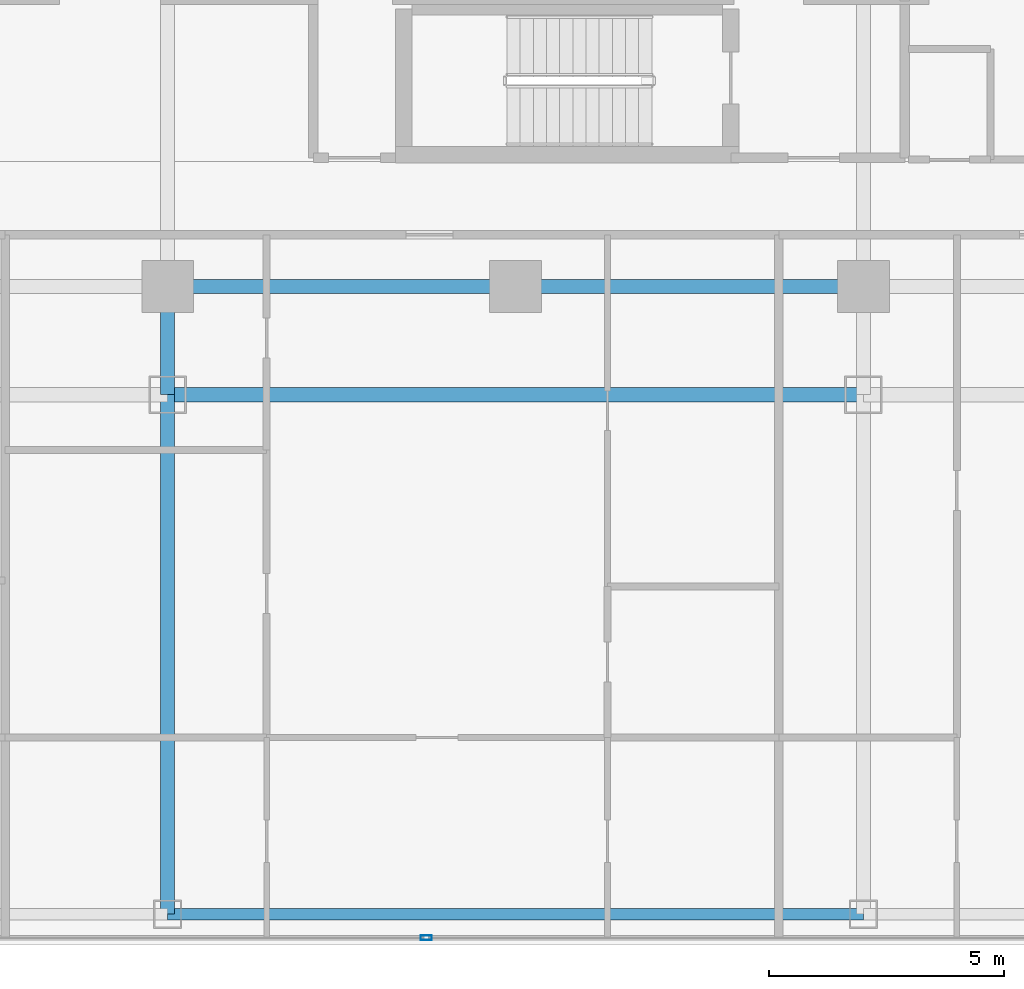
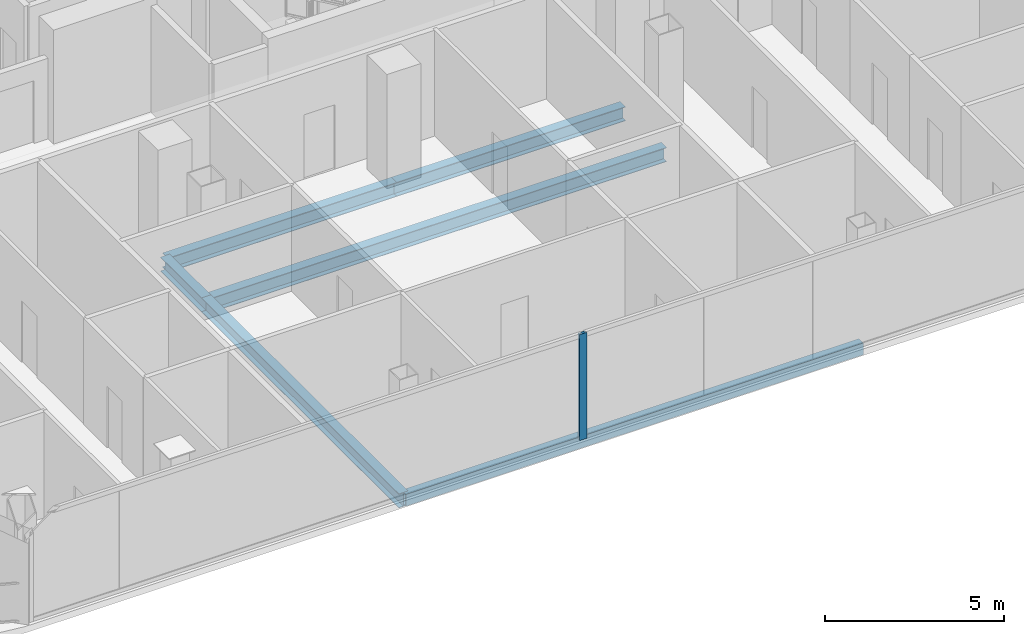
# One storey, part 4 of 24: 6 beams, 1 member, 1 element without a shape of its own.
"""IFC4 building model written with IfcOpenShell, lengths in metres."""

from ifc_helpers import new_model, si_unit, direction, frame, origin, origin_2d, place, context, subcontext, project, spatial, hollow_rectangle, i_section, extrude, material, layer, layer_set, material_profile, profile_set, type_object, element, aggregate, save


model = new_model("IFC4")

# Units and contexts
model_context = context("Model", 3, precision=1e-05, world=origin(), true_north=direction((0.0, 1.0)))
body_context = subcontext(model_context, "Body", "Model", "MODEL_VIEW")
ifc_project = project(units=[si_unit("LENGTHUNIT", "METRE"), si_unit("AREAUNIT", "SQUARE_METRE"), si_unit("VOLUMEUNIT", "CUBIC_METRE"), si_unit("PLANEANGLEUNIT", "RADIAN"), si_unit("MASSUNIT", "GRAM", prefix="KILO")], contexts=[model_context])

# Site, building, storey
site_placement = place(None, origin())
site = spatial("IfcSite", under=ifc_project, at=site_placement, CompositionType="ELEMENT")
building_placement = place(site_placement, origin())
building = spatial("IfcBuilding", under=site, at=building_placement, Name="Khorvyn Point Tower", CompositionType="ELEMENT")
storey_placement = place(building_placement, frame((0.0, 0.0, 215.699951171875)))
storey = spatial("IfcBuildingStorey", under=building, at=storey_placement, Name="L53", CompositionType="ELEMENT", Elevation=215.699951171875)

# Curtain wall, member
ifc_material_1 = material(Name="Anodised aluminium 6063-T6 and laminated Low-E glass", Category="aluminium")
ifc_layer = layer(ifc_material_1, 0.18994140625)
ifc_layer_set = layer_set([ifc_layer], Name="Stick-Built Acoustic Curtain Wall CW-SYS-03")
curtain_wall_type = type_object("IfcCurtainWallType", Name="Stick-Built Acoustic Curtain Wall CW-SYS-03", PredefinedType="NOTDEFINED", material=ifc_layer_set)
curtain_wall_placement = place(storey_placement, origin())
curtain_wall = element("IfcCurtainWall", 1, at=curtain_wall_placement, inside=storey, type_object=curtain_wall_type, Name="Curtain Wall", PredefinedType="NOTDEFINED")
ifc_material_2 = material(Name="Anodised aluminium 6063-T6", Category="aluminium")
ifc_material_profile_1 = material_profile(ifc_material_2, hollow_rectangle(XDim=0.10009765625, YDim=0.239990234375, WallThickness=0.0048828125, at=origin_2d()))
ifc_profile_set_1 = profile_set([ifc_material_profile_1], Name="Anodised aluminium 6063-T6 ALU-MUL-100x240")
member_type = type_object("IfcMemberType", Name="Anodised Aluminium 6063-T6 Mullion ALU-MUL-100x240", PredefinedType="MULLION", material=ifc_profile_set_1)
member_placement = place(storey_placement, frame((-1.89990234375, -28.64990234375, 0.0), z_axis=(0.0, 0.0, 1.0), x_axis=(0.0, -1.0, 0.0)))
member = element("IfcMember", 2, at=member_placement, type_object=member_type, Name="Transom", PredefinedType="MULLION", context=body_context, shape_type="SweptSolid", body=[
    extrude(hollow_rectangle(XDim=0.10009765625, YDim=0.239990234375, WallThickness=0.0048828125, at=origin_2d()), origin(), (0.0, 0.0, 1.0), 3.6201171875),
])
aggregate(curtain_wall, [member])

# Beams
ifc_material_3 = material(Name="Steel S355", Category="steel")
ifc_material_profile_2 = material_profile(ifc_material_3, i_section(OverallWidth=0.300048828125, OverallDepth=0.488037109375, WebThickness=0.010986328125, FlangeThickness=0.01806640625, at=origin_2d()))
ifc_profile_set_2 = profile_set([ifc_material_profile_2], Name="Steel S355 H488x300x11x18")
beam_type_1 = type_object("IfcBeamType", Name="Steel S355 Spandrel H488x300x11x18", PredefinedType="SPANDREL", material=ifc_profile_set_2)
for number, where, z_axis, x_axis, name in (
    (3, (-7.39990234375, -14.800048828125, -0.4638671875), (1.0, 0.0, 0.0), (0.0, 1.0, 0.0), "Beam"),
    (4, (0.0, -14.800048828125, -0.4638671875), (1.0, 0.0, 0.0), (0.0, 1.0, 0.0), "Beam"),
):
    element("IfcBeam", number, at=place(storey_placement, frame(where, z_axis=z_axis, x_axis=x_axis)), inside=storey, type_object=beam_type_1, Name=name, PredefinedType="SPANDREL", context=body_context, shape_type="SweptSolid", body=[
        extrude(i_section(OverallWidth=0.300048828125, OverallDepth=0.488037109375, WebThickness=0.010986328125, FlangeThickness=0.01806640625, at=origin_2d()), origin(), (0.0, 0.0, 1.0), 7.39990234375),
    ])
beam_1_placement = place(storey_placement, frame((-7.39990234375, -17.10009765625, -0.4638671875), z_axis=(1.0, 0.0, 0.0), x_axis=(0.0, 1.0, 0.0)))
element("IfcBeam", 5, at=beam_1_placement, inside=storey, type_object=beam_type_1, Name="Beam", PredefinedType="SPANDREL", context=body_context, shape_type="SweptSolid", body=[
    extrude(i_section(OverallWidth=0.300048828125, OverallDepth=0.488037109375, WebThickness=0.010986328125, FlangeThickness=0.01806640625, at=origin_2d()), origin(), (0.0, 0.0, 1.0), 14.7998046875),
])
beam_2_placement = place(storey_placement, frame((-7.39990234375, -28.14990234375, -0.4638671875), z_axis=(0.0, 1.0, 0.0), x_axis=(-1.0, 0.0, 0.0)))
element("IfcBeam", 6, at=beam_2_placement, inside=storey, type_object=beam_type_1, Name="Beam", PredefinedType="SPANDREL", context=body_context, shape_type="SweptSolid", body=[
    extrude(i_section(OverallWidth=0.300048828125, OverallDepth=0.488037109375, WebThickness=0.010986328125, FlangeThickness=0.01806640625, at=origin_2d()), origin(), (0.0, 0.0, 1.0), 11.0498046875),
])
beam_3_placement = place(storey_placement, frame((-7.39990234375, -17.10009765625, -0.4638671875), z_axis=(0.0, 1.0, 0.0), x_axis=(-1.0, 0.0, 0.0)))
element("IfcBeam", 7, at=beam_3_placement, inside=storey, type_object=beam_type_1, Name="Beam", PredefinedType="SPANDREL", context=body_context, shape_type="SweptSolid", body=[
    extrude(i_section(OverallWidth=0.300048828125, OverallDepth=0.488037109375, WebThickness=0.010986328125, FlangeThickness=0.01806640625, at=origin_2d()), origin(), (0.0, 0.0, 1.0), 2.300048828125),
])
ifc_material_profile_3 = material_profile(ifc_material_3, hollow_rectangle(XDim=0.25, YDim=0.39990234375, WallThickness=0.01611328125, at=origin_2d()))
ifc_profile_set_3 = profile_set([ifc_material_profile_3], Name="Steel S355 RHS400x250x16")
beam_type_2 = type_object("IfcBeamType", Name="Steel S355 Spandrel RHS400x250x16", PredefinedType="SPANDREL", material=ifc_profile_set_3)
beam_4_placement = place(storey_placement, frame((-7.39990234375, -28.14990234375, -0.419921875), z_axis=(1.0, 0.0, 0.0), x_axis=(0.0, 1.0, 0.0)))
element("IfcBeam", 8, at=beam_4_placement, inside=storey, type_object=beam_type_2, Name="Beam", PredefinedType="SPANDREL", context=body_context, shape_type="SweptSolid", body=[
    extrude(hollow_rectangle(XDim=0.25, YDim=0.39990234375, WallThickness=0.01611328125, at=origin_2d()), origin(), (0.0, 0.0, 1.0), 14.7998046875),
])

save(model, "model.ifc")
